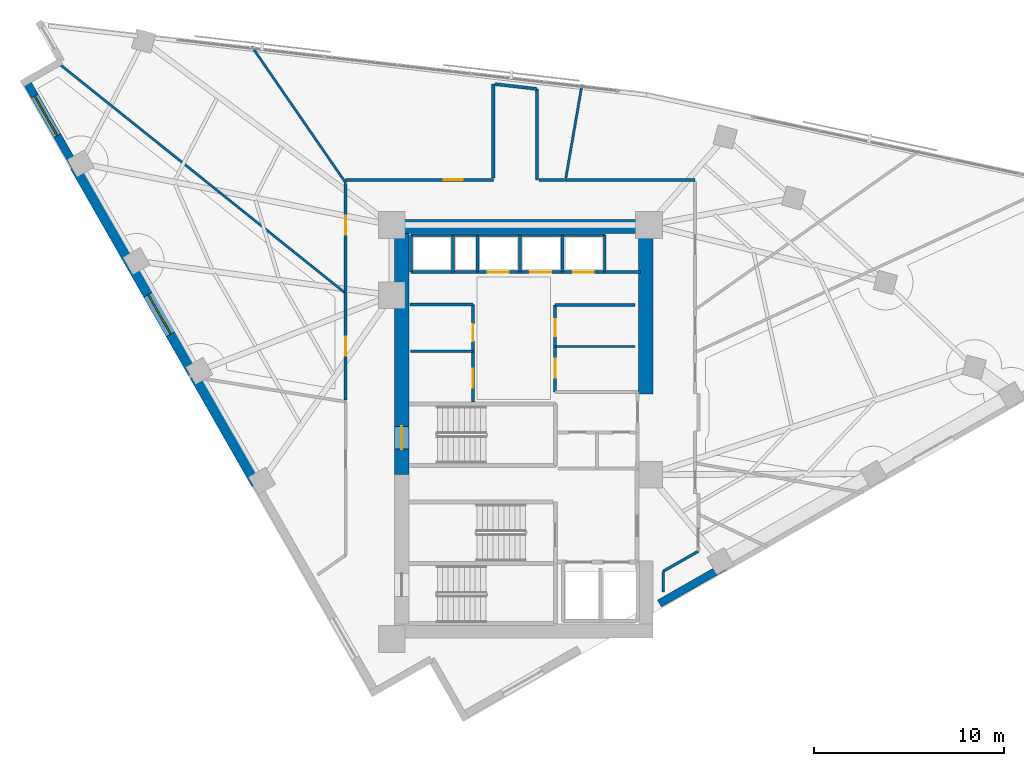
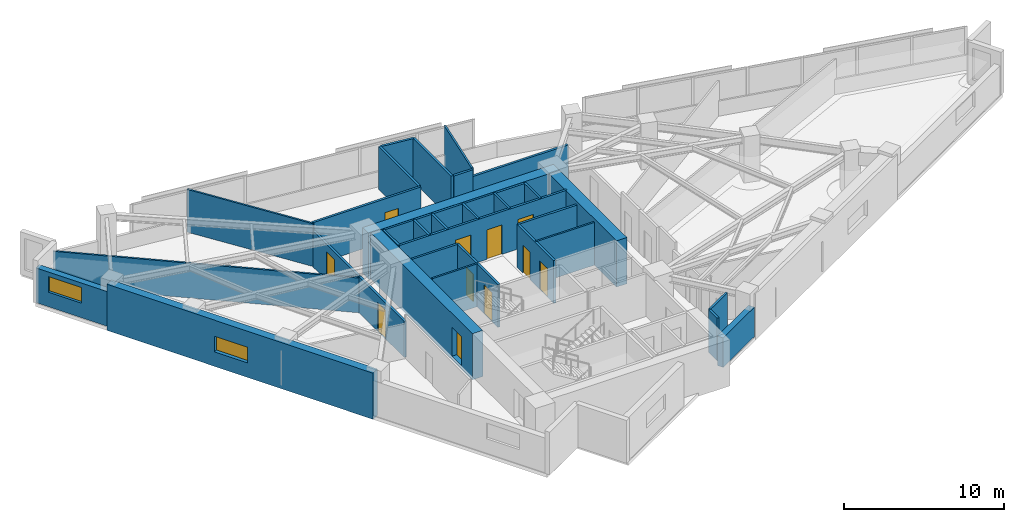
# One storey, part 10 of 14: 34 walls, 11 doors, 2 windows, 13 openings.
"""IFC4 building model written with IfcOpenShell, lengths in metres."""

from ifc_helpers import new_model, si_unit, direction, frame, frame_2d, origin, place, context, subcontext, project, spatial, rectangle, extrude, material, layer, layer_set, type_object, element, fill, save


model = new_model("IFC4")

# Units and contexts
model_context = context("Model", 3, precision=1e-05, world=origin(), true_north=direction((0.0, 1.0)))
body_context = subcontext(model_context, "Body", "Model", "MODEL_VIEW")
ifc_project = project(units=[si_unit("LENGTHUNIT", "METRE"), si_unit("AREAUNIT", "SQUARE_METRE"), si_unit("VOLUMEUNIT", "CUBIC_METRE"), si_unit("PLANEANGLEUNIT", "RADIAN"), si_unit("MASSUNIT", "GRAM", prefix="KILO")], contexts=[model_context])

# Site, building, storey
site_placement = place(None, origin())
site = spatial("IfcSite", under=ifc_project, at=site_placement, CompositionType="ELEMENT")
building_placement = place(site_placement, origin())
building = spatial("IfcBuilding", under=site, at=building_placement, Name="Narakoshi Arena Tower", CompositionType="ELEMENT")
storey_placement = place(building_placement, frame((0.0, 0.0, 207.93994140625)))
storey = spatial("IfcBuildingStorey", under=building, at=storey_placement, Name="L56", CompositionType="ELEMENT", Elevation=207.93994140625)

# Wall, opening, door
ifc_material_1 = material(Name="Concrete C50/60", Category="concrete")
ifc_layer_1 = layer(ifc_material_1, 0.75)
ifc_layer_set_1 = layer_set([ifc_layer_1], Name="Concrete C50/60")
wall_type_1 = type_object("IfcWallType", Name="WL-CORE-750", PredefinedType="SHEAR", material=ifc_layer_set_1)
wall_1_placement = place(storey_placement, frame((72.52490234375, 43.35009765625, -0.260009765625), z_axis=(0.0, 0.0, 1.0), x_axis=(0.0, 1.0, 0.0)))
wall_1 = element("IfcWall", 1, at=wall_1_placement, inside=storey, type_object=wall_type_1, Name="L56 Main Core Shear Wall CW-MN-W", PredefinedType="SHEAR", context=body_context, shape_type="SweptSolid", body=[
    extrude(rectangle(XDim=12.699951171875, YDim=0.75, at=frame_2d((6.35009765625, 0.0))), origin(), (0.0, 0.0, 1.0), 3.52001953125),
])
opening_1_placement = place(wall_1_placement, frame((1.35009765625, 0.0, 0.260009765625)))
opening_1 = element("IfcOpeningElement", 2, at=opening_1_placement, cuts=wall_1, Name="Opening D-03", PredefinedType="OPENING", context=body_context, shape_type="SweptSolid", body=[
    extrude(rectangle(XDim=1.199951171875, YDim=2.199951171875, at=frame_2d((0.60009765625, 1.10009765625))), frame((0.0, 0.385009765625, 0.0), z_axis=(0.0, -1.0, 0.0), x_axis=(1.0, 0.0, 0.0)), (0.0, 0.0, 1.0), 0.77001953125),
])
ifc_material_2 = material(Name="Painted galvanized steel", Category="steel")
door_type_1 = type_object("IfcDoorType", Name="DR-STR-1200", OperationType="NOTDEFINED", PredefinedType="USERDEFINED", material=ifc_material_2)
door_1_placement = place(opening_1_placement, frame((1.199951171875, 0.0, 0.0), z_axis=(0.0, 0.0, 1.0), x_axis=(-1.0, 0.0, 0.0)))
door_1 = element("IfcDoor", 3, at=door_1_placement, inside=storey, type_object=door_type_1, Name="DR-L56-006", ObjectType="EXITDOOR", OperationType="SINGLE_SWING_LEFT", OverallHeight=2.199951171875, OverallWidth=1.199951171875, PredefinedType="USERDEFINED", context=body_context, shape_type="SweptSolid", body=[
    extrude(rectangle(XDim=1.199951171875, YDim=2.199951171875, at=frame_2d((0.60009765625, 1.10009765625))), frame((0.0, 0.02490234375, 0.0), z_axis=(0.0, -1.0, 0.0), x_axis=(1.0, 0.0, 0.0)), (0.0, 0.0, 1.0), 0.050048828125),
])
fill(opening_1, door_1)

# Walls
wall_2_placement = place(storey_placement, frame((72.0, 56.425048828125, -0.260009765625), z_axis=(0.0, 0.0, 1.0), x_axis=(1.0, 0.0, 0.0)))
element("IfcWall", 4, at=wall_2_placement, inside=storey, type_object=wall_type_1, Name="L56 Main Core Shear Wall CW-MN-N", PredefinedType="SHEAR", context=body_context, shape_type="SweptSolid", body=[
    extrude(rectangle(XDim=13.75, YDim=0.75, at=frame_2d((6.875, 0.0))), origin(), (0.0, 0.0, 1.0), 3.52001953125),
])
wall_3_placement = place(storey_placement, frame((85.375, 47.60009765625, -0.260009765625), z_axis=(0.0, 0.0, 1.0), x_axis=(0.0, 1.0, 0.0)))
element("IfcWall", 5, at=wall_3_placement, inside=storey, type_object=wall_type_1, Name="L56 Main Core Shear Wall CW-MN-E", PredefinedType="SHEAR", context=body_context, shape_type="SweptSolid", body=[
    extrude(rectangle(XDim=8.449951171875, YDim=0.75, at=frame_2d((4.22509765625, 0.0))), origin(), (0.0, 0.0, 1.0), 3.52001953125),
])
ifc_material_3 = material(Name="Gypsum plasterboard fire-rated partition")
ifc_layer_2 = layer(ifc_material_3, 0.1650390625)
ifc_layer_set_2 = layer_set([ifc_layer_2], Name="Gypsum plasterboard fire-rated partition")
wall_type_2 = type_object("IfcWallType", Name="WL-CORR-165", PredefinedType="PARTITIONING", material=ifc_layer_set_2)
wall_4_placement = place(storey_placement, frame((87.976318359375, 58.87646484375, 0.0), z_axis=(0.0, 0.0, 1.0), x_axis=(-1.0, 0.0, 0.0)))
element("IfcWall", 6, at=wall_4_placement, inside=storey, type_object=wall_type_2, Name="L56 Corridor Partition 06-1", PredefinedType="PARTITIONING", context=body_context, shape_type="SweptSolid", body=[
    extrude(rectangle(XDim=6.859130859375, YDim=0.1650390625, at=frame_2d((3.4296875, 0.0))), origin(), (0.0, 0.0, 1.0), 2.7451171875),
])

# Wall, opening, door
wall_5_placement = place(storey_placement, frame((77.35009765625, 58.87646484375, 0.0), z_axis=(0.0, 0.0, 1.0), x_axis=(-1.0, 0.0, 0.0)))
wall_5 = element("IfcWall", 7, at=wall_5_placement, inside=storey, type_object=wall_type_2, Name="L56 Corridor Partition 07-1", PredefinedType="PARTITIONING", context=body_context, shape_type="SweptSolid", body=[
    extrude(rectangle(XDim=7.776611328125, YDim=0.1650390625, at=frame_2d((3.88818359375, 0.0))), origin(), (0.0, 0.0, 1.0), 3.260009765625),
])
opening_2_placement = place(wall_5_placement, frame((1.602783203125, 0.0, 0.0)))
opening_2 = element("IfcOpeningElement", 8, at=opening_2_placement, cuts=wall_5, Name="Opening D-06", PredefinedType="OPENING", context=body_context, shape_type="SweptSolid", body=[
    extrude(rectangle(XDim=1.0, YDim=2.199951171875, at=frame_2d((0.5, 1.10009765625))), frame((0.0, 0.092529296875, 0.0), z_axis=(0.0, -1.0, 0.0), x_axis=(1.0, 0.0, 0.0)), (0.0, 0.0, 1.0), 0.18505859375),
])
ifc_material_4 = material(Name="Stained oak solid-core timber", Category="wood")
door_type_2 = type_object("IfcDoorType", Name="DR-OFF-1000", OperationType="NOTDEFINED", PredefinedType="DOOR", material=ifc_material_4)
door_2_placement = place(opening_2_placement, frame((1.0, 0.0, 0.0), z_axis=(0.0, 0.0, 1.0), x_axis=(-1.0, 0.0, 0.0)))
door_2 = element("IfcDoor", 9, at=door_2_placement, inside=storey, type_object=door_type_2, Name="DR-L56-023", OperationType="SINGLE_SWING_RIGHT", OverallHeight=2.199951171875, OverallWidth=1.0, PredefinedType="DOOR", context=body_context, shape_type="SweptSolid", body=[
    extrude(rectangle(XDim=1.0, YDim=2.199951171875, at=frame_2d((0.5, 1.10009765625))), frame((0.0, 0.02490234375, 0.0), z_axis=(0.0, -1.0, 0.0), x_axis=(1.0, 0.0, 0.0)), (0.0, 0.0, 1.0), 0.050048828125),
])
fill(opening_2, door_2)

# Walls
wall_6_placement = place(storey_placement, frame((77.35009765625, 63.930908203125, 0.0), z_axis=(0.0, 0.0, 1.0), x_axis=(0.0, -1.0, 0.0)))
element("IfcWall", 10, at=wall_6_placement, inside=storey, type_object=wall_type_2, Name="L56 Corridor Partition 07-2", PredefinedType="PARTITIONING", context=body_context, shape_type="SweptSolid", body=[
    extrude(rectangle(XDim=4.9599609375, YDim=0.1650390625, at=frame_2d((2.47998046875, 0.0))), origin(), (0.0, 0.0, 1.0), 3.260009765625),
])
wall_7_placement = place(storey_placement, frame((79.64990234375, 58.87646484375, 0.0), z_axis=(0.0, 0.0, 1.0), x_axis=(0.0, 1.0, 0.0)))
element("IfcWall", 11, at=wall_7_placement, inside=storey, type_object=wall_type_2, Name="L56 Corridor Partition 07-3", PredefinedType="PARTITIONING", context=body_context, shape_type="SweptSolid", body=[
    extrude(rectangle(XDim=4.7880859375, YDim=0.1650390625, at=frame_2d((2.39404296875, 0.0))), origin(), (0.0, 0.0, 1.0), 3.260009765625),
])
wall_8_placement = place(storey_placement, frame((79.64990234375, 63.66455078125, 0.0), z_axis=(0.0, 0.0, 1.0), x_axis=(-0.993362136032, 0.115028981987, 0.0)))
element("IfcWall", 12, at=wall_8_placement, inside=storey, type_object=wall_type_2, Name="L56 Corridor Partition 07-4", PredefinedType="PARTITIONING", context=body_context, shape_type="SweptSolid", body=[
    extrude(rectangle(XDim=2.219970703125, YDim=0.1650390625, at=frame_2d((1.10986328125, 0.0))), origin(), (0.0, 0.0, 1.0), 3.260009765625),
])
wall_9_placement = place(storey_placement, frame((81.093017578125, 58.87646484375, 0.0), z_axis=(0.0, 0.0, 1.0), x_axis=(-1.0, 0.0, 0.0)))
element("IfcWall", 13, at=wall_9_placement, inside=storey, type_object=wall_type_2, Name="L56 Corridor Partition 07-5", PredefinedType="PARTITIONING", context=body_context, shape_type="SweptSolid", body=[
    extrude(rectangle(XDim=1.3486328125, YDim=0.1650390625, at=frame_2d((0.67431640625, 0.0))), origin(), (0.0, 0.0, 1.0), 3.260009765625),
])

# Wall, opening, door
wall_10_placement = place(storey_placement, frame((69.573486328125, 52.93310546875, 0.0), z_axis=(0.0, 0.0, 1.0), x_axis=(0.0, -1.0, 0.0)))
wall_10 = element("IfcWall", 14, at=wall_10_placement, inside=storey, type_object=wall_type_2, Name="L56 Corridor Partition 08-1", PredefinedType="PARTITIONING", context=body_context, shape_type="SweptSolid", body=[
    extrude(rectangle(XDim=5.657470703125, YDim=0.1650390625, at=frame_2d((2.82861328125, 0.0))), origin(), (0.0, 0.0, 1.0), 2.7451171875),
])
opening_3_placement = place(wall_10_placement, frame((2.328857421875, 0.0, 0.0)))
opening_3 = element("IfcOpeningElement", 15, at=opening_3_placement, cuts=wall_10, Name="Opening D-06", PredefinedType="OPENING", context=body_context, shape_type="SweptSolid", body=[
    extrude(rectangle(XDim=1.0, YDim=2.199951171875, at=frame_2d((0.5, 1.10009765625))), frame((0.0, 0.092529296875, 0.0), z_axis=(0.0, -1.0, 0.0), x_axis=(1.0, 0.0, 0.0)), (0.0, 0.0, 1.0), 0.18505859375),
])
door_3_placement = place(opening_3_placement, frame((1.0, 0.0, 0.0), z_axis=(0.0, 0.0, 1.0), x_axis=(-1.0, 0.0, 0.0)))
door_3 = element("IfcDoor", 16, at=door_3_placement, inside=storey, type_object=door_type_2, Name="DR-L56-024", OperationType="SINGLE_SWING_LEFT", OverallHeight=2.199951171875, OverallWidth=1.0, PredefinedType="DOOR", context=body_context, shape_type="SweptSolid", body=[
    extrude(rectangle(XDim=1.0, YDim=2.199951171875, at=frame_2d((0.5, 1.10009765625))), frame((0.0, 0.02490234375, 0.0), z_axis=(0.0, -1.0, 0.0), x_axis=(1.0, 0.0, 0.0)), (0.0, 0.0, 1.0), 0.050048828125),
])
fill(opening_3, door_3)

wall_11_placement = place(storey_placement, frame((69.573486328125, 58.6826171875, 0.0), z_axis=(0.0, 0.0, 1.0), x_axis=(0.0, -1.0, 0.0)))
wall_11 = element("IfcWall", 17, at=wall_11_placement, inside=storey, type_object=wall_type_2, Name="L56 Corridor Partition 09-1", PredefinedType="PARTITIONING", context=body_context, shape_type="SweptSolid", body=[
    extrude(rectangle(XDim=5.683349609375, YDim=0.1650390625, at=frame_2d((2.841796875, 0.0))), origin(), (0.0, 0.0, 1.0), 2.7451171875),
])
opening_4_placement = place(wall_11_placement, frame((1.69921875, 0.0, 0.0)))
opening_4 = element("IfcOpeningElement", 18, at=opening_4_placement, cuts=wall_11, Name="Opening D-06", PredefinedType="OPENING", context=body_context, shape_type="SweptSolid", body=[
    extrude(rectangle(XDim=1.0, YDim=2.199951171875, at=frame_2d((0.5, 1.10009765625))), frame((0.0, 0.092529296875, 0.0), z_axis=(0.0, -1.0, 0.0), x_axis=(1.0, 0.0, 0.0)), (0.0, 0.0, 1.0), 0.18505859375),
])
door_4_placement = place(opening_4_placement, frame((1.0, 0.0, 0.0), z_axis=(0.0, 0.0, 1.0), x_axis=(-1.0, 0.0, 0.0)))
door_4 = element("IfcDoor", 19, at=door_4_placement, inside=storey, type_object=door_type_2, Name="DR-L56-025", OperationType="SINGLE_SWING_RIGHT", OverallHeight=2.199951171875, OverallWidth=1.0, PredefinedType="DOOR", context=body_context, shape_type="SweptSolid", body=[
    extrude(rectangle(XDim=1.0, YDim=2.199951171875, at=frame_2d((0.5, 1.10009765625))), frame((0.0, 0.02490234375, 0.0), z_axis=(0.0, -1.0, 0.0), x_axis=(1.0, 0.0, 0.0)), (0.0, 0.0, 1.0), 0.050048828125),
])
fill(opening_4, door_4)

# Wall, opening, window
ifc_layer_3 = layer(ifc_material_1, 0.550048828125)
ifc_layer_set_3 = layer_set([ifc_layer_3], Name="Concrete C50/60")
wall_type_3 = type_object("IfcWallType", Name="WL-LEG-550", PredefinedType="SHEAR", material=ifc_layer_set_3)
wall_12_placement = place(storey_placement, frame((55.3251953125, 59.5703125, -0.260009765625), z_axis=(0.0, 0.0, 1.0), x_axis=(0.496211351597, -0.868201759124, 0.0)))
wall_12 = element("IfcWall", 20, at=wall_12_placement, inside=storey, type_object=wall_type_3, Name="L56 Architectural Concrete Structural Wall LEGB-2", PredefinedType="SHEAR", context=body_context, shape_type="SweptSolid", body=[
    extrude(rectangle(XDim=19.242919921875, YDim=0.550048828125, at=frame_2d((9.62158203125, 0.0))), origin(), (0.0, 0.0, 1.0), 3.52001953125),
])
opening_5_placement = place(wall_12_placement, frame((7.7568359375, 0.0, 1.10009765625)))
opening_5 = element("IfcOpeningElement", 21, at=opening_5_placement, cuts=wall_12, Name="Opening WN-04", PredefinedType="OPENING", context=body_context, shape_type="SweptSolid", body=[
    extrude(rectangle(XDim=2.39990234375, YDim=1.199951171875, at=frame_2d((1.199951171875, 0.60009765625))), frame((0.0, 0.284912109375, 0.0), z_axis=(0.0, -1.0, 0.0), x_axis=(1.0, 0.0, 0.0)), (0.0, 0.0, 1.0), 0.570068359375),
])
ifc_material_5 = material(Name="Bronze-tinted low-E laminated glass", Category="glass")
window_type = type_object("IfcWindowType", Name="WIN-SLT-24x12", PartitioningType="SINGLE_PANEL", PredefinedType="WINDOW", material=ifc_material_5)
window_1_placement = place(opening_5_placement, origin())
window_1 = element("IfcWindow", 22, at=window_1_placement, inside=storey, type_object=window_type, Name="L56 LEGB2 Horizontal Slot Window 1", OverallHeight=1.199951171875, OverallWidth=2.39990234375, PartitioningType="SINGLE_PANEL", PredefinedType="WINDOW", context=body_context, shape_type="SweptSolid", body=[
    extrude(rectangle(XDim=2.39990234375, YDim=1.199951171875, at=frame_2d((1.199951171875, 0.60009765625))), frame((0.0, 0.030029296875, 0.0), z_axis=(0.0, -1.0, 0.0), x_axis=(1.0, 0.0, 0.0)), (0.0, 0.0, 1.0), 0.06005859375),
])
fill(opening_5, window_1)

# Walls
ifc_layer_4 = layer(ifc_material_3, 0.125)
ifc_layer_set_4 = layer_set([ifc_layer_4], Name="Gypsum plasterboard fire-rated partition")
wall_type_4 = type_object("IfcWallType", Name="WL-PART-125", PredefinedType="PARTITIONING", material=ifc_layer_set_4)
wall_13_placement = place(storey_placement, frame((73.0, 49.85009765625, 0.0), z_axis=(0.0, 0.0, 1.0), x_axis=(1.0, 0.0, 0.0)))
element("IfcWall", 23, at=wall_13_placement, inside=storey, type_object=wall_type_4, Name="L56 Core Wall RCL-LR-D0", PredefinedType="PARTITIONING", context=body_context, shape_type="SweptSolid", body=[
    extrude(rectangle(XDim=3.280029296875, YDim=0.125, at=frame_2d((1.64013671875, 0.0))), origin(), (0.0, 0.0, 1.0), 3.260009765625),
])
wall_14_placement = place(storey_placement, frame((80.60009765625, 50.10009765625, 0.0), z_axis=(0.0, 0.0, 1.0), x_axis=(1.0, 0.0, 0.0)))
element("IfcWall", 24, at=wall_14_placement, inside=storey, type_object=wall_type_4, Name="L56 Core Wall RCL-MR-D", PredefinedType="PARTITIONING", context=body_context, shape_type="SweptSolid", body=[
    extrude(rectangle(XDim=4.219970703125, YDim=0.125, at=frame_2d((2.10986328125, 0.0))), origin(), (0.0, 0.0, 1.0), 3.260009765625),
])
wall_15_placement = place(storey_placement, frame((81.170166015625, 58.970947265625, 0.0), z_axis=(0.0, 0.0, 1.0), x_axis=(0.170173676804, 0.985414085409, 0.0)))
element("IfcWall", 25, at=wall_15_placement, inside=storey, type_object=wall_type_4, Name="L56 Inter-Room Partition 06-07", PredefinedType="PARTITIONING", context=body_context, shape_type="SweptSolid", body=[
    extrude(rectangle(XDim=4.995361328125, YDim=0.125, at=frame_2d((2.49755859375, 0.0))), origin(), (0.0, 0.0, 1.0), 3.260009765625),
])
wall_16_placement = place(storey_placement, frame((69.573486328125, 58.724365234375, 0.0), z_axis=(0.0, 0.0, 1.0), x_axis=(-0.567314937792, 0.823500917643, 0.0)))
element("IfcWall", 26, at=wall_16_placement, inside=storey, type_object=wall_type_4, Name="L56 Inter-Room Partition 07-09", PredefinedType="PARTITIONING", context=body_context, shape_type="SweptSolid", body=[
    extrude(rectangle(XDim=8.72265625, YDim=0.125, at=frame_2d((4.361328125, 0.0))), origin(), (0.0, 0.0, 1.0), 3.260009765625),
])
wall_17_placement = place(storey_placement, frame((54.434326171875, 65.028564453125, 0.0), z_axis=(0.0, 0.0, 1.0), x_axis=(0.780535102031, -0.625111953572, 0.0)))
element("IfcWall", 27, at=wall_17_placement, inside=storey, type_object=wall_type_4, Name="L56 Inter-Room Partition 08-09", PredefinedType="PARTITIONING", context=body_context, shape_type="SweptSolid", body=[
    extrude(rectangle(XDim=19.349365234375, YDim=0.125, at=frame_2d((9.6748046875, 0.0))), origin(), (0.0, 0.0, 1.0), 2.64501953125),
])
ifc_material_6 = material(Name="Precast concrete C45/55", Category="concrete")
ifc_layer_5 = layer(ifc_material_6, 0.419921875)
ifc_layer_set_5 = layer_set([ifc_layer_5], Name="Precast concrete C45/55")
wall_type_5 = type_object("IfcWallType", Name="WL-POD-420", PredefinedType="SOLIDWALL", material=ifc_layer_set_5)
wall_18_placement = place(storey_placement, frame((86.10009765625, 36.567626953125, 0.0), z_axis=(0.0, 0.0, 1.0), x_axis=(0.868192956745, 0.496226752461, 0.0)))
element("IfcWall", 28, at=wall_18_placement, inside=storey, type_object=wall_type_5, Name="L56 Architectural Concrete Facade Wall LEGA-2", PredefinedType="SOLIDWALL", context=body_context, shape_type="SweptSolid", body=[
    extrude(rectangle(XDim=3.89208984375, YDim=0.419921875, at=frame_2d((1.946044921875, 0.0))), origin(), (0.0, 0.0, 1.0), 2.2451171875),
])

# Wall, opening, window
wall_19_placement = place(storey_placement, frame((52.75439453125, 64.068359375, 0.0), z_axis=(0.0, 0.0, 1.0), x_axis=(0.496209984367, -0.868202540548, 0.0)))
wall_19 = element("IfcWall", 29, at=wall_19_placement, inside=storey, type_object=wall_type_5, Name="L56 Architectural Concrete Facade Wall LEGB-1", PredefinedType="SOLIDWALL", context=body_context, shape_type="SweptSolid", body=[
    extrude(rectangle(XDim=5.180908203125, YDim=0.419921875, at=frame_2d((2.59033203125, 0.0))), origin(), (0.0, 0.0, 1.0), 2.64501953125),
])
opening_6_placement = place(wall_19_placement, frame((0.89990234375, 0.0, 1.10009765625)))
opening_6 = element("IfcOpeningElement", 30, at=opening_6_placement, cuts=wall_19, Name="Opening WN-04", PredefinedType="OPENING", context=body_context, shape_type="SweptSolid", body=[
    extrude(rectangle(XDim=2.39990234375, YDim=1.199951171875, at=frame_2d((1.199951171875, 0.60009765625))), frame((0.0, 0.219970703125, 0.0), z_axis=(0.0, -1.0, 0.0), x_axis=(1.0, 0.0, 0.0)), (0.0, 0.0, 1.0), 0.43994140625),
])
window_2_placement = place(opening_6_placement, origin())
window_2 = element("IfcWindow", 31, at=window_2_placement, inside=storey, type_object=window_type, Name="L56 LEGB1 Horizontal Slot Window 1", OverallHeight=1.199951171875, OverallWidth=2.39990234375, PartitioningType="SINGLE_PANEL", PredefinedType="WINDOW", context=body_context, shape_type="SweptSolid", body=[
    extrude(rectangle(XDim=2.39990234375, YDim=1.199951171875, at=frame_2d((1.199951171875, 0.60009765625))), frame((0.0, 0.030029296875, 0.0), z_axis=(0.0, -1.0, 0.0), x_axis=(1.0, 0.0, 0.0)), (0.0, 0.0, 1.0), 0.06005859375),
])
fill(opening_6, window_2)

# Walls
ifc_material_7 = material(Name="Concrete C40/50", Category="concrete")
ifc_layer_6 = layer(ifc_material_7, 0.280029296875)
ifc_layer_set_6 = layer_set([ifc_layer_6], Name="Concrete C40/50")
wall_type_6 = type_object("IfcWallType", Name="WL-RISER-280", PredefinedType="PLUMBINGWALL", material=ifc_layer_set_6)
for number, where, z_axis, x_axis, name in (
    (32, (73.02001953125, 54.02001953125, 0.0), (0.0, 0.0, 1.0), (0.0, 1.0, 0.0), "L56 Core Wall OBS-W"),
    (33, (75.219970703125, 54.02001953125, 0.0), (0.0, 0.0, 1.0), (0.0, 1.0, 0.0), "L56 Core Wall OBS-M"),
):
    element("IfcWall", number, at=place(storey_placement, frame(where, z_axis=z_axis, x_axis=x_axis)), inside=storey, type_object=wall_type_6, Name=name, PredefinedType="PLUMBINGWALL", context=body_context, shape_type="SweptSolid", body=[
        extrude(rectangle(XDim=1.93994140625, YDim=0.14990234375, at=frame_2d((0.969970703125, 0.0))), origin(), (0.0, 0.0, 1.0), 3.260009765625),
    ])
for number, where, z_axis, x_axis, name in (
    (34, (78.75, 54.02001953125, 0.0), (0.0, 0.0, 1.0), (0.0, 1.0, 0.0), "L56 Core Wall HR-D1"),
    (35, (81.0, 54.02001953125, 0.0), (0.0, 0.0, 1.0), (0.0, 1.0, 0.0), "L56 Core Wall HR-D2"),
):
    element("IfcWall", number, at=place(storey_placement, frame(where, z_axis=z_axis, x_axis=x_axis)), inside=storey, type_object=wall_type_6, Name=name, PredefinedType="PLUMBINGWALL", context=body_context, shape_type="SweptSolid", body=[
        extrude(rectangle(XDim=1.9599609375, YDim=0.14990234375, at=frame_2d((0.97998046875, 0.0))), origin(), (0.0, 0.0, 1.0), 3.260009765625),
    ])

# Wall, openings, doors
ifc_layer_7 = layer(ifc_material_1, 0.35009765625)
ifc_layer_set_7 = layer_set([ifc_layer_7], Name="Concrete C50/60")
wall_type_7 = type_object("IfcWallType", Name="WL-SHAFT-350", PredefinedType="SOLIDWALL", material=ifc_layer_set_7)
wall_20_placement = place(storey_placement, frame((76.280029296875, 47.179931640625, 0.0), z_axis=(0.0, 0.0, 1.0), x_axis=(0.0, 1.0, 0.0)))
wall_20 = element("IfcWall", 36, at=wall_20_placement, inside=storey, type_object=wall_type_7, Name="L56 Core Wall LR-E", PredefinedType="SOLIDWALL", context=body_context, shape_type="SweptSolid", body=[
    extrude(rectangle(XDim=5.14013671875, YDim=0.159912109375, at=frame_2d((2.570068359375, 0.0))), origin(), (0.0, 0.0, 1.0), 3.260009765625),
])
opening_7_placement = place(wall_20_placement, frame((0.75, 0.0, 0.0)))
opening_7 = element("IfcOpeningElement", 37, at=opening_7_placement, cuts=wall_20, Name="Opening D-06", PredefinedType="OPENING", context=body_context, shape_type="SweptSolid", body=[
    extrude(rectangle(XDim=1.0, YDim=2.199951171875, at=frame_2d((0.5, 1.10009765625))), frame((0.0, 0.08984375, 0.0), z_axis=(0.0, -1.0, 0.0), x_axis=(1.0, 0.0, 0.0)), (0.0, 0.0, 1.0), 0.179931640625),
])
opening_8_placement = place(wall_20_placement, frame((3.199951171875, 0.0, 0.0)))
opening_8 = element("IfcOpeningElement", 38, at=opening_8_placement, cuts=wall_20, Name="Opening D-08", PredefinedType="OPENING", context=body_context, shape_type="SweptSolid", body=[
    extrude(rectangle(XDim=0.89990234375, YDim=2.10009765625, at=frame_2d((0.449951171875, 1.050048828125))), frame((0.0, 0.08984375, 0.0), z_axis=(0.0, -1.0, 0.0), x_axis=(1.0, 0.0, 0.0)), (0.0, 0.0, 1.0), 0.179931640625),
])
door_5_placement = place(opening_7_placement, frame((1.0, 0.0, 0.0), z_axis=(0.0, 0.0, 1.0), x_axis=(-1.0, 0.0, 0.0)))
door_5 = element("IfcDoor", 39, at=door_5_placement, inside=storey, type_object=door_type_2, Name="DR-L56-010", OperationType="SINGLE_SWING_LEFT", OverallHeight=2.199951171875, OverallWidth=1.0, PredefinedType="DOOR", context=body_context, shape_type="SweptSolid", body=[
    extrude(rectangle(XDim=1.0, YDim=2.199951171875, at=frame_2d((0.5, 1.10009765625))), frame((0.0, 0.02490234375, 0.0), z_axis=(0.0, -1.0, 0.0), x_axis=(1.0, 0.0, 0.0)), (0.0, 0.0, 1.0), 0.050048828125),
])
fill(opening_7, door_5)
ifc_material_8 = material(Name="Moisture-resistant laminate timber", Category="wood")
door_type_3 = type_object("IfcDoorType", Name="DR-WC-900", OperationType="NOTDEFINED", PredefinedType="DOOR", material=ifc_material_8)
door_6_placement = place(opening_8_placement, frame((0.89990234375, 0.0, 0.0), z_axis=(0.0, 0.0, 1.0), x_axis=(-1.0, 0.0, 0.0)))
door_6 = element("IfcDoor", 40, at=door_6_placement, inside=storey, type_object=door_type_3, Name="DR-L56-011", OperationType="SINGLE_SWING_RIGHT", OverallHeight=2.10009765625, OverallWidth=0.89990234375, PredefinedType="DOOR", context=body_context, shape_type="SweptSolid", body=[
    extrude(rectangle(XDim=0.89990234375, YDim=2.10009765625, at=frame_2d((0.449951171875, 1.050048828125))), frame((0.0, 0.02490234375, 0.0), z_axis=(0.0, -1.0, 0.0), x_axis=(1.0, 0.0, 0.0)), (0.0, 0.0, 1.0), 0.050048828125),
])
fill(opening_8, door_6)

# Wall
wall_21_placement = place(storey_placement, frame((72.949951171875, 52.320068359375, 0.0), z_axis=(0.0, 0.0, 1.0), x_axis=(1.0, 0.0, 0.0)))
element("IfcWall", 41, at=wall_21_placement, inside=storey, type_object=wall_type_7, Name="L56 Core Wall LR-N", PredefinedType="SOLIDWALL", context=body_context, shape_type="SweptSolid", body=[
    extrude(rectangle(XDim=3.330078125, YDim=0.14990234375, at=frame_2d((1.6650390625, 0.0))), origin(), (0.0, 0.0, 1.0), 3.260009765625),
])

# Wall, openings, doors
wall_22_placement = place(storey_placement, frame((80.60009765625, 47.699951171875, 0.0), z_axis=(0.0, 0.0, 1.0), x_axis=(0.0, 1.0, 0.0)))
wall_22 = element("IfcWall", 42, at=wall_22_placement, inside=storey, type_object=wall_type_7, Name="L56 Core Wall MR-W", PredefinedType="SOLIDWALL", context=body_context, shape_type="SweptSolid", body=[
    extrude(rectangle(XDim=4.60009765625, YDim=0.159912109375, at=frame_2d((2.300048828125, 0.0))), origin(), (0.0, 0.0, 1.0), 3.260009765625),
])
opening_9_placement = place(wall_22_placement, frame((0.75, 0.0, 0.0)))
opening_9 = element("IfcOpeningElement", 43, at=opening_9_placement, cuts=wall_22, Name="Opening D-06", PredefinedType="OPENING", context=body_context, shape_type="SweptSolid", body=[
    extrude(rectangle(XDim=1.0, YDim=2.199951171875, at=frame_2d((0.5, 1.10009765625))), frame((0.0, 0.08984375, 0.0), z_axis=(0.0, -1.0, 0.0), x_axis=(1.0, 0.0, 0.0)), (0.0, 0.0, 1.0), 0.179931640625),
])
opening_10_placement = place(wall_22_placement, frame((2.949951171875, 0.0, 0.0)))
opening_10 = element("IfcOpeningElement", 44, at=opening_10_placement, cuts=wall_22, Name="Opening D-08", PredefinedType="OPENING", context=body_context, shape_type="SweptSolid", body=[
    extrude(rectangle(XDim=0.89990234375, YDim=2.10009765625, at=frame_2d((0.449951171875, 1.050048828125))), frame((0.0, 0.08984375, 0.0), z_axis=(0.0, -1.0, 0.0), x_axis=(1.0, 0.0, 0.0)), (0.0, 0.0, 1.0), 0.179931640625),
])
door_7_placement = place(opening_9_placement, origin())
door_7 = element("IfcDoor", 45, at=door_7_placement, inside=storey, type_object=door_type_2, Name="DR-L56-012", OperationType="SINGLE_SWING_RIGHT", OverallHeight=2.199951171875, OverallWidth=1.0, PredefinedType="DOOR", context=body_context, shape_type="SweptSolid", body=[
    extrude(rectangle(XDim=1.0, YDim=2.199951171875, at=frame_2d((0.5, 1.10009765625))), frame((0.0, 0.02490234375, 0.0), z_axis=(0.0, -1.0, 0.0), x_axis=(1.0, 0.0, 0.0)), (0.0, 0.0, 1.0), 0.050048828125),
])
fill(opening_9, door_7)
door_8_placement = place(opening_10_placement, origin())
door_8 = element("IfcDoor", 46, at=door_8_placement, inside=storey, type_object=door_type_3, Name="DR-L56-013", OperationType="SINGLE_SWING_LEFT", OverallHeight=2.10009765625, OverallWidth=0.89990234375, PredefinedType="DOOR", context=body_context, shape_type="SweptSolid", body=[
    extrude(rectangle(XDim=0.89990234375, YDim=2.10009765625, at=frame_2d((0.449951171875, 1.050048828125))), frame((0.0, 0.02490234375, 0.0), z_axis=(0.0, -1.0, 0.0), x_axis=(1.0, 0.0, 0.0)), (0.0, 0.0, 1.0), 0.050048828125),
])
fill(opening_10, door_8)

# Wall
wall_23_placement = place(storey_placement, frame((80.60009765625, 52.300048828125, 0.0), z_axis=(0.0, 0.0, 1.0), x_axis=(1.0, 0.0, 0.0)))
element("IfcWall", 47, at=wall_23_placement, inside=storey, type_object=wall_type_7, Name="L56 Core Wall MR-N", PredefinedType="SOLIDWALL", context=body_context, shape_type="SweptSolid", body=[
    extrude(rectangle(XDim=4.219970703125, YDim=0.159912109375, at=frame_2d((2.10986328125, 0.0))), origin(), (0.0, 0.0, 1.0), 3.260009765625),
])

# Wall, openings, doors
wall_24_placement = place(storey_placement, frame((73.02001953125, 54.02001953125, 0.0), z_axis=(0.0, 0.0, 1.0), x_axis=(1.0, 0.0, 0.0)))
wall_24 = element("IfcWall", 48, at=wall_24_placement, inside=storey, type_object=wall_type_7, Name="L56 Core Wall NSHF-S", PredefinedType="SOLIDWALL", context=body_context, shape_type="SweptSolid", body=[
    extrude(rectangle(XDim=12.080078125, YDim=0.159912109375, at=frame_2d((6.0400390625, 0.0))), origin(), (0.0, 0.0, 1.0), 3.260009765625),
])
opening_11_placement = place(wall_24_placement, frame((4.030029296875, 0.0, 0.0)))
opening_11 = element("IfcOpeningElement", 49, at=opening_11_placement, cuts=wall_24, Name="Opening LD-01", PredefinedType="OPENING", context=body_context, shape_type="SweptSolid", body=[
    extrude(rectangle(XDim=1.10009765625, YDim=2.25, at=frame_2d((0.550048828125, 1.125))), frame((0.0, 0.08984375, 0.0), z_axis=(0.0, -1.0, 0.0), x_axis=(1.0, 0.0, 0.0)), (0.0, 0.0, 1.0), 0.179931640625),
])
opening_12_placement = place(wall_24_placement, frame((6.280029296875, 0.0, 0.0)))
opening_12 = element("IfcOpeningElement", 50, at=opening_12_placement, cuts=wall_24, Name="Opening LD-01", PredefinedType="OPENING", context=body_context, shape_type="SweptSolid", body=[
    extrude(rectangle(XDim=1.10009765625, YDim=2.25, at=frame_2d((0.550048828125, 1.125))), frame((0.0, 0.08984375, 0.0), z_axis=(0.0, -1.0, 0.0), x_axis=(1.0, 0.0, 0.0)), (0.0, 0.0, 1.0), 0.179931640625),
])
opening_13_placement = place(wall_24_placement, frame((8.530029296875, 0.0, 0.0)))
opening_13 = element("IfcOpeningElement", 51, at=opening_13_placement, cuts=wall_24, Name="Opening LD-01", PredefinedType="OPENING", context=body_context, shape_type="SweptSolid", body=[
    extrude(rectangle(XDim=1.10009765625, YDim=2.25, at=frame_2d((0.550048828125, 1.125))), frame((0.0, 0.08984375, 0.0), z_axis=(0.0, -1.0, 0.0), x_axis=(1.0, 0.0, 0.0)), (0.0, 0.0, 1.0), 0.179931640625),
])
ifc_material_9 = material(Name="Brushed bronze stainless steel", Category="steel")
door_type_4 = type_object("IfcDoorType", Name="DR-LFT-1100", OperationType="DOUBLE_DOOR_SLIDING", PredefinedType="DOOR", material=ifc_material_9)
door_9_placement = place(opening_11_placement, origin())
door_9 = element("IfcDoor", 52, at=door_9_placement, inside=storey, type_object=door_type_4, Name="DR-L56-014", OperationType="DOUBLE_DOOR_SLIDING", OverallHeight=2.25, OverallWidth=1.10009765625, PredefinedType="DOOR", context=body_context, shape_type="SweptSolid", body=[
    extrude(rectangle(XDim=1.10009765625, YDim=2.25, at=frame_2d((0.550048828125, 1.125))), frame((0.0, 0.02490234375, 0.0), z_axis=(0.0, -1.0, 0.0), x_axis=(1.0, 0.0, 0.0)), (0.0, 0.0, 1.0), 0.050048828125),
])
fill(opening_11, door_9)
door_10_placement = place(opening_12_placement, origin())
door_10 = element("IfcDoor", 53, at=door_10_placement, inside=storey, type_object=door_type_4, Name="DR-L56-015", OperationType="DOUBLE_DOOR_SLIDING", OverallHeight=2.25, OverallWidth=1.10009765625, PredefinedType="DOOR", context=body_context, shape_type="SweptSolid", body=[
    extrude(rectangle(XDim=1.10009765625, YDim=2.25, at=frame_2d((0.550048828125, 1.125))), frame((0.0, 0.02490234375, 0.0), z_axis=(0.0, -1.0, 0.0), x_axis=(1.0, 0.0, 0.0)), (0.0, 0.0, 1.0), 0.050048828125),
])
fill(opening_12, door_10)
door_11_placement = place(opening_13_placement, origin())
door_11 = element("IfcDoor", 54, at=door_11_placement, inside=storey, type_object=door_type_4, Name="DR-L56-016", OperationType="DOUBLE_DOOR_SLIDING", OverallHeight=2.25, OverallWidth=1.10009765625, PredefinedType="DOOR", context=body_context, shape_type="SweptSolid", body=[
    extrude(rectangle(XDim=1.10009765625, YDim=2.25, at=frame_2d((0.550048828125, 1.125))), frame((0.0, 0.02490234375, 0.0), z_axis=(0.0, -1.0, 0.0), x_axis=(1.0, 0.0, 0.0)), (0.0, 0.0, 1.0), 0.050048828125),
])
fill(opening_13, door_11)

# Walls
wall_25_placement = place(storey_placement, frame((73.02001953125, 55.9599609375, 0.0), z_axis=(0.0, 0.0, 1.0), x_axis=(1.0, 0.0, 0.0)))
element("IfcWall", 55, at=wall_25_placement, inside=storey, type_object=wall_type_7, Name="L56 Core Wall OBS-N", PredefinedType="SOLIDWALL", context=body_context, shape_type="SweptSolid", body=[
    extrude(rectangle(XDim=3.5, YDim=0.14990234375, at=frame_2d((1.75, 0.0))), origin(), (0.0, 0.0, 1.0), 3.260009765625),
])
wall_26_placement = place(storey_placement, frame((76.52001953125, 54.02001953125, 0.0), z_axis=(0.0, 0.0, 1.0), x_axis=(0.0, 1.0, 0.0)))
element("IfcWall", 56, at=wall_26_placement, inside=storey, type_object=wall_type_7, Name="L56 Core Wall OBS-E", PredefinedType="SOLIDWALL", context=body_context, shape_type="SweptSolid", body=[
    extrude(rectangle(XDim=1.93994140625, YDim=0.14990234375, at=frame_2d((0.969970703125, 0.0))), origin(), (0.0, 0.0, 1.0), 3.260009765625),
])
wall_27_placement = place(storey_placement, frame((83.219970703125, 54.02001953125, 0.0), z_axis=(0.0, 0.0, 1.0), x_axis=(0.0, 1.0, 0.0)))
element("IfcWall", 57, at=wall_27_placement, inside=storey, type_object=wall_type_7, Name="L56 Core Wall HR-E", PredefinedType="SOLIDWALL", context=body_context, shape_type="SweptSolid", body=[
    extrude(rectangle(XDim=1.9599609375, YDim=0.14990234375, at=frame_2d((0.97998046875, 0.0))), origin(), (0.0, 0.0, 1.0), 3.260009765625),
])
wall_28_placement = place(storey_placement, frame((76.52001953125, 55.9599609375, 0.0), z_axis=(0.0, 0.0, 1.0), x_axis=(1.0, 0.0, 0.0)))
element("IfcWall", 58, at=wall_28_placement, inside=storey, type_object=wall_type_7, Name="L56 Core Wall HR-N", PredefinedType="SOLIDWALL", context=body_context, shape_type="SweptSolid", body=[
    extrude(rectangle(XDim=6.699951171875, YDim=0.14990234375, at=frame_2d((3.35009765625, 0.0))), origin(), (0.0, 0.0, 1.0), 3.260009765625),
])
ifc_material_10 = material(Name="Moisture-resistant cement-board partition")
ifc_layer_8 = layer(ifc_material_10, 0.14501953125)
ifc_layer_set_8 = layer_set([ifc_layer_8], Name="Moisture-resistant cement-board partition")
wall_type_8 = type_object("IfcWallType", Name="WL-WET-145", PredefinedType="PARTITIONING", material=ifc_layer_set_8)
wall_29_placement = place(storey_placement, frame((86.300048828125, 38.265625, 0.0), z_axis=(0.0, 0.0, 1.0), x_axis=(0.868179674817, 0.496249989657, 0.0)))
element("IfcWall", 59, at=wall_29_placement, inside=storey, type_object=wall_type_8, Name="L56 Corridor Partition 02-1", PredefinedType="PARTITIONING", context=body_context, shape_type="SweptSolid", body=[
    extrude(rectangle(XDim=2.130615234375, YDim=0.14501953125, at=frame_2d((1.0654296875, 0.0))), origin(), (0.0, 0.0, 1.0), 3.260009765625),
])
wall_30_placement = place(storey_placement, frame((86.300048828125, 37.17724609375, 0.0), z_axis=(0.0, 0.0, 1.0), x_axis=(0.0, 1.0, 0.0)))
element("IfcWall", 60, at=wall_30_placement, inside=storey, type_object=wall_type_8, Name="L56 Room Enclosure Partition 02-1", PredefinedType="PARTITIONING", context=body_context, shape_type="SweptSolid", body=[
    extrude(rectangle(XDim=1.08837890625, YDim=0.14501953125, at=frame_2d((0.544189453125, 0.0))), origin(), (0.0, 0.0, 1.0), 3.260009765625),
])

save(model, "model.ifc")
